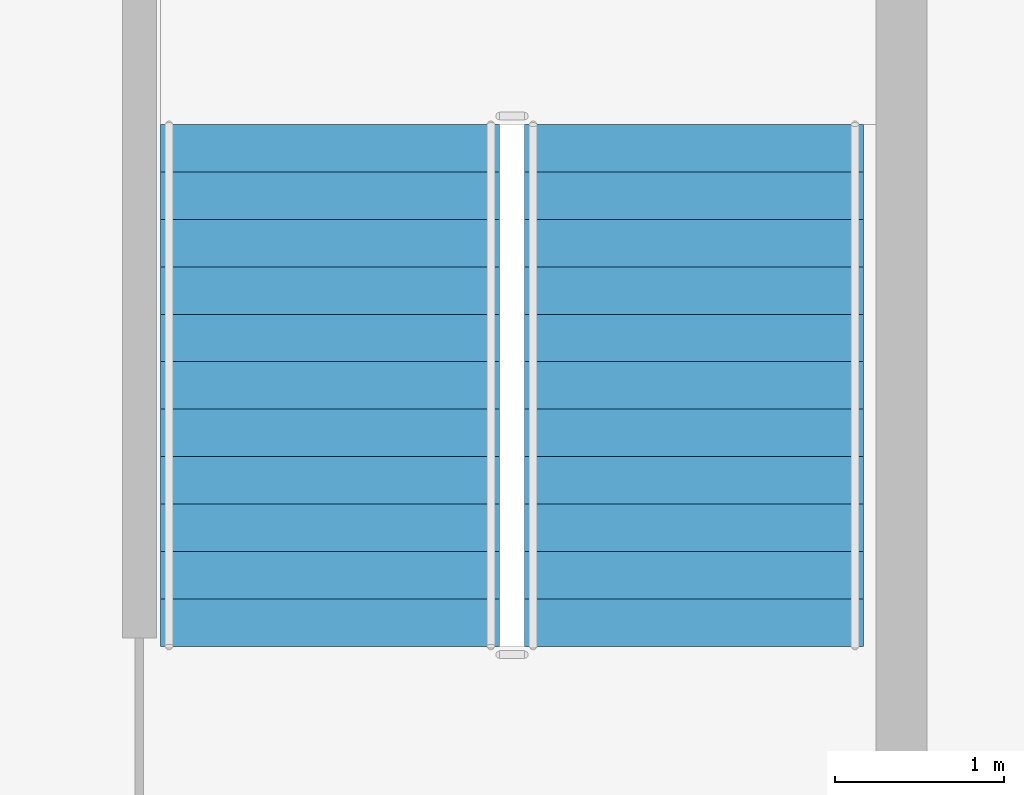
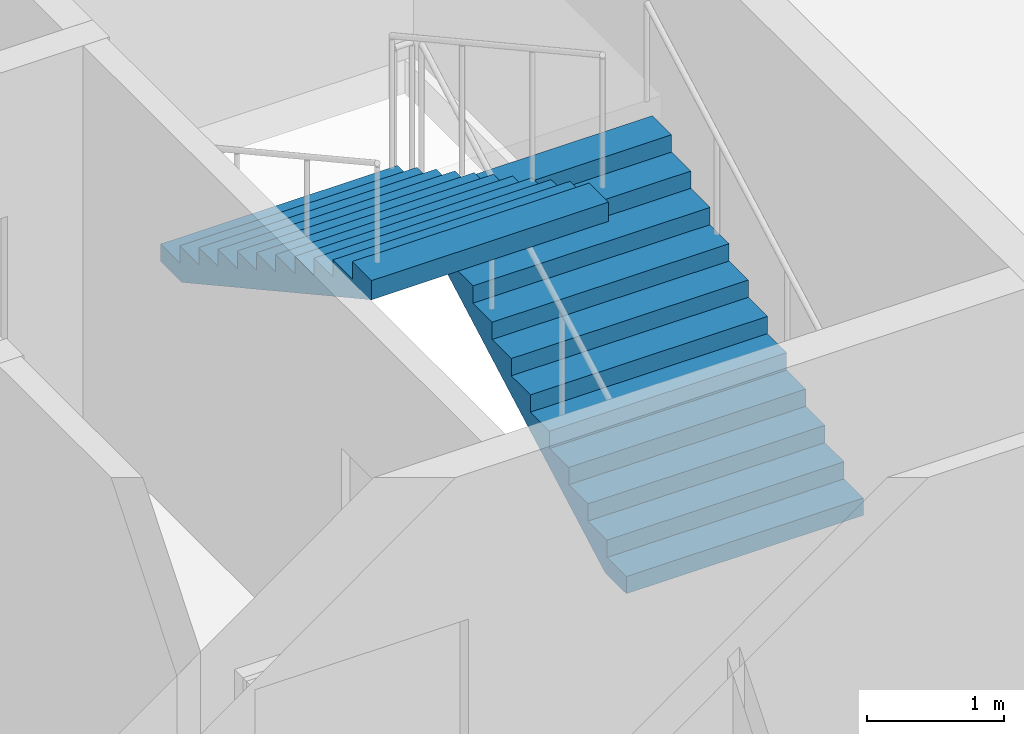
# One storey, part 8 of 11: 2 stair flights, 1 element without a shape of its own.
"""IFC4 building model written with IfcOpenShell, lengths in metres."""

import ifcopenshell
import ifcopenshell.guid

model = None  # the IFC model being written
_history = None  # IfcOwnerHistory: only IFC2X3 demands one
_inside = {}  # id of a spatial element -> (the spatial element, [elements in it])
_under = {}  # id of a project, library or spatial element -> (it, [spatial elements below it])
_declared = {}  # id of a project -> (the project, [libraries it declares])
_typed = {}  # id of a type object -> (the type object, [elements of that type])
_made_of = {}  # id of a material, layer set ... -> (it, [elements and type objects made of it])


def new_model(schema):
    """Start an empty IFC model of exactly this schema.

    Asked for "IFC4X3", IfcOpenShell would pick the latest addendum, in which some entities
    have other attributes; the version numbers below select the first issue.
    IFC2X3 requires an IfcOwnerHistory on every rooted entity: one is made here for all.
    """
    global model, _history
    if schema == "IFC4X3":
        model = ifcopenshell.file(schema_version=(4, 3, 0, 0))
    else:
        model = ifcopenshell.file(schema=schema)
    _inside.clear()
    _under.clear()
    _declared.clear()
    _typed.clear()
    _made_of.clear()
    _history = None
    if model.schema == "IFC2X3":
        org = make("IfcOrganization", Name="unknown")
        user = make(
            "IfcPersonAndOrganization",
            ThePerson=make("IfcPerson", FamilyName="unknown"),
            TheOrganization=org,
        )
        app = make(
            "IfcApplication",
            ApplicationDeveloper=org,
            Version="unknown",
            ApplicationFullName="unknown",
            ApplicationIdentifier="unknown",
        )
        _history = make(
            "IfcOwnerHistory",
            OwningUser=user,
            OwningApplication=app,
            ChangeAction="ADDED",
            CreationDate=0,
        )
    return model


def make(cls, **values):
    """One entity of the class cls with the attributes given. An attribute that is None is left unset."""
    return model.create_entity(
        cls, **{name: value for name, value in values.items() if value is not None}
    )


def rooted(cls, **values):
    """An entity with a GlobalId (a new one), such as an element, a storey or a relation."""
    return make(cls, GlobalId=ifcopenshell.guid.new(), OwnerHistory=_history, **values)


def si_unit(unit_type, name, prefix=None):
    """IfcSIUnit, for example si_unit("LENGTHUNIT", "METRE", prefix="MILLI")."""
    return make("IfcSIUnit", UnitType=unit_type, Prefix=prefix, Name=name)


def assignment(units):
    """IfcUnitAssignment: the units of a project."""
    return None if units is None else make("IfcUnitAssignment", Units=units)


def point(xyz):
    """IfcCartesianPoint."""
    return None if xyz is None else make("IfcCartesianPoint", Coordinates=xyz)


def direction(xyz):
    """IfcDirection."""
    return None if xyz is None else make("IfcDirection", DirectionRatios=xyz)


def frame(location, z_axis=None, x_axis=None):
    """IfcAxis2Placement3D, a coordinate frame: its origin and axes. An axis left out is left unset."""
    return make(
        "IfcAxis2Placement3D",
        Location=point(location),
        Axis=direction(z_axis),
        RefDirection=direction(x_axis),
    )


def origin():
    """The frame at (0, 0, 0) with its axes left unset."""
    return frame((0.0, 0.0, 0.0))


def place(relative_to, where):
    """IfcLocalPlacement: puts the frame where relative to a parent placement (None: the world)."""
    return make(
        "IfcLocalPlacement", PlacementRelTo=relative_to, RelativePlacement=where
    )


def context(
    kind, dimensions, precision=None, world=None, true_north=None, identifier=None
):
    """IfcGeometricRepresentationContext, for example the 3D "Model" context."""
    return make(
        "IfcGeometricRepresentationContext",
        ContextIdentifier=identifier,
        ContextType=kind,
        CoordinateSpaceDimension=dimensions,
        Precision=precision,
        WorldCoordinateSystem=world,
        TrueNorth=true_north,
    )


def subcontext(parent, identifier, kind, view, scale=None):
    """IfcGeometricRepresentationSubContext, for example "Body" below "Model"."""
    return make(
        "IfcGeometricRepresentationSubContext",
        ContextIdentifier=identifier,
        ContextType=kind,
        ParentContext=parent,
        TargetScale=scale,
        TargetView=view,
    )


def project(units=None, contexts=None):
    """IfcProject with its units and contexts."""
    return rooted(
        "IfcProject",
        Name="project",
        RepresentationContexts=contexts,
        UnitsInContext=assignment(units),
    )


def spatial(cls, under=None, at=None, **own):
    """A site, building, storey or space (cls), placed at a placement, below another one or the project."""
    s = rooted(cls, ObjectPlacement=at, **own)
    if under is not None:
        _under.setdefault(under.id(), (under, []))[1].append(s)
    return s


def point_list(points):
    """IfcCartesianPointList2D or 3D."""
    cls = (
        "IfcCartesianPointList2D" if len(points[0]) == 2 else "IfcCartesianPointList3D"
    )
    return make(cls, CoordList=points)


def polygons(points, faces, closed=None, point_numbers=None):
    """IfcPolygonalFaceSet: a face is its outer loop, then its inner loops; points numbered from 1."""
    made = []
    for loops in faces:
        if len(loops) == 1:
            made.append(make("IfcIndexedPolygonalFace", CoordIndex=loops[0]))
        else:
            made.append(
                make(
                    "IfcIndexedPolygonalFaceWithVoids",
                    CoordIndex=loops[0],
                    InnerCoordIndices=loops[1:],
                )
            )
    return make(
        "IfcPolygonalFaceSet",
        Coordinates=point_list(points),
        Closed=closed,
        Faces=made,
        PnIndex=point_numbers,
    )


def shape(context_of_items, identifier, shape_type, items):
    """IfcShapeRepresentation: the items that make up one representation, for example the "Body"."""
    return make(
        "IfcShapeRepresentation",
        ContextOfItems=context_of_items,
        RepresentationIdentifier=identifier,
        RepresentationType=shape_type,
        Items=items,
    )


def material(Name=None, Category=None):
    """IfcMaterial."""
    return make("IfcMaterial", Name=Name, Category=Category)


def made_of(thing, what):
    """Note that an element or type object is made of a material, layer set ...; save() writes the relation."""
    if what is not None:
        _made_of.setdefault(what.id(), (what, []))[1].append(thing)
    return thing


def type_object(cls, material=None, **own):
    """A type object (cls), such as IfcWallType, which elements share."""
    return made_of(rooted(cls, **own), material)


def element(
    cls,
    number,
    at=None,
    inside=None,
    cuts=None,
    type_object=None,
    material=None,
    context=None,
    identifier="Body",
    shape_type=None,
    held_by="IfcProductDefinitionShape",
    body=None,
    shapes=None,
    **own,
):
    """One element of the class cls, such as IfcWall. Its Tag is "e" and its number.

    at: its placement. inside: the storey or other place that contains it. cuts: it is an
    opening in that element (IfcRelVoidsElement). A single representation is given by context,
    identifier, shape_type and body (its items); several are given by shapes. held_by: the class
    of the entity that holds the representations. save() writes the other relations.
    """
    e = rooted(cls, Tag="e%d" % number, ObjectPlacement=at, **own)
    if body is not None:
        shapes = [shape(context, identifier, shape_type, body)]
    if shapes is not None:
        e.Representation = make(held_by, Representations=shapes)
    if inside is not None:
        _inside.setdefault(inside.id(), (inside, []))[1].append(e)
    if cuts is not None:
        rooted(
            "IfcRelVoidsElement", RelatingBuildingElement=cuts, RelatedOpeningElement=e
        )
    if type_object is not None:
        _typed.setdefault(type_object.id(), (type_object, []))[1].append(e)
    return made_of(e, material)


def aggregate(whole, parts):
    """IfcRelAggregates: a whole, such as a stair, and the parts it consists of."""
    return rooted("IfcRelAggregates", RelatingObject=whole, RelatedObjects=parts)


def save(model, path):
    """Write the relations noted so far, then the file.

    IfcRelAggregates (storeys below a building ...), IfcRelContainedInSpatialStructure (elements
    in a storey), IfcRelDefinesByType, IfcRelAssociatesMaterial and IfcRelDeclares: one each for
    every whole, place, type object, material and project.
    """
    for whole, parts in _under.values():
        aggregate(whole, parts)
    for where, things in _inside.values():
        rooted(
            "IfcRelContainedInSpatialStructure",
            RelatedElements=things,
            RelatingStructure=where,
        )
    for kind, things in _typed.values():
        rooted("IfcRelDefinesByType", RelatedObjects=things, RelatingType=kind)
    for what, things in _made_of.values():
        rooted("IfcRelAssociatesMaterial", RelatedObjects=things, RelatingMaterial=what)
    for by, libraries in _declared.values():
        rooted("IfcRelDeclares", RelatingContext=by, RelatedDefinitions=libraries)
    model.write(path)


model = new_model("IFC4")

# Units and contexts
model_context = context("Model", 3, precision=1e-05, world=origin(), true_north=direction((0.0, 1.0)))
body_context = subcontext(model_context, "Body", "Model", "MODEL_VIEW")
ifc_project = project(units=[si_unit("LENGTHUNIT", "METRE"), si_unit("AREAUNIT", "SQUARE_METRE"), si_unit("VOLUMEUNIT", "CUBIC_METRE"), si_unit("PLANEANGLEUNIT", "RADIAN"), si_unit("MASSUNIT", "GRAM", prefix="KILO")], contexts=[model_context])

# Site, building, storey
site_placement = place(None, origin())
site = spatial("IfcSite", under=ifc_project, at=site_placement, CompositionType="ELEMENT")
building_placement = place(site_placement, origin())
building = spatial("IfcBuilding", under=site, at=building_placement, Name="Caravel Reach Hotel and Residences", CompositionType="ELEMENT")
storey_placement = place(building_placement, frame((0.0, 0.0, 271.199951171875)))
storey = spatial("IfcBuildingStorey", under=building, at=storey_placement, Name="L69", CompositionType="ELEMENT", Elevation=271.199951171875)

# Stair, stair flights
ifc_material_1 = material(Name="Concrete C40", Category="concrete")
stair_type = type_object("IfcStairType", Name="Core stair", PredefinedType="HALF_TURN_STAIR", material=ifc_material_1)
stair_placement = place(storey_placement, origin())
stair = element("IfcStair", 1, at=stair_placement, inside=storey, type_object=stair_type, Name="L69 Exit stair B", PredefinedType="HALF_TURN_STAIR")
ifc_material_2 = material(Name="Concrete C40", Category="concrete")
stair_flight_type = type_object("IfcStairFlightType", Name="Core stair flight", PredefinedType="STRAIGHT", material=ifc_material_2)
stair_flight_1_placement = place(storey_placement, frame((43.77490234375, 24.64990234375, 0.0), z_axis=(0.0, 0.0, 1.0), x_axis=(0.0, 1.0, 0.0)))
stair_flight_1 = element("IfcStairFlight", 2, at=stair_flight_1_placement, type_object=stair_flight_type, Name="ST-B flight 1", NumberOfRisers=12, NumberOfTreads=11, PredefinedType="STRAIGHT", RiserHeight=0.154166667, TreadLength=0.28, context=body_context, shape_type="Tessellation", body=[
    polygons([(0.3107950034306102, 1.0, 0.0), (0.3107950034306102, 0.6666666666666667, 0.0), (0.3107950034306102, 0.33333333333333337, 0.0), (0.3107950034306102, 0.0, 0.0), (0.3107950034306102, -0.33333333333333326, 0.0), (0.3107950034306102, -0.6666666666666667, 0.0), (0.3107950034306102, -1.0, 0.0), (3.081, 1.0, 1.524711087717319), (3.081, 0.6666666666666667, 1.524711087717319), (3.081, 0.33333333333333337, 1.524711087717319), (3.081, 0.0, 1.524711087717319), (3.081, -0.33333333333333326, 1.524711087717319), (3.081, -0.6666666666666667, 1.524711087717319), (3.081, -1.0, 1.524711087717319), (3.081, 1.0, 1.695833337), (3.081, 0.6666666666666667, 1.695833337), (3.081, 0.33333333333333337, 1.695833337), (3.081, 0.0, 1.695833337), (3.081, -0.33333333333333326, 1.695833337), (3.081, -0.6666666666666667, 1.695833337), (3.081, -1.0, 1.695833337), (2.8000000000000003, 1.0, 1.695833337), (2.8000000000000003, 0.6666666666666667, 1.695833337), (2.8000000000000003, 0.33333333333333337, 1.695833337), (2.8000000000000003, 0.0, 1.695833337), (2.8000000000000003, -0.33333333333333326, 1.695833337), (2.8000000000000003, -0.6666666666666667, 1.695833337), (2.8000000000000003, -1.0, 1.695833337), (2.8000000000000003, 1.0, 1.5416666700000001), (2.8000000000000003, 0.6666666666666667, 1.5416666700000001), (2.8000000000000003, 0.33333333333333337, 1.5416666700000001), (2.8000000000000003, 0.0, 1.5416666700000001), (2.8000000000000003, -0.33333333333333326, 1.5416666700000001), (2.8000000000000003, -0.6666666666666667, 1.5416666700000001), (2.8000000000000003, -1.0, 1.5416666700000001), (2.5200000000000005, 1.0, 1.5416666700000001), (2.5200000000000005, 0.6666666666666667, 1.5416666700000001), (2.5200000000000005, 0.33333333333333337, 1.5416666700000001), (2.5200000000000005, 0.0, 1.5416666700000001), (2.5200000000000005, -0.33333333333333326, 1.5416666700000001), (2.5200000000000005, -0.6666666666666667, 1.5416666700000001), (2.5200000000000005, -1.0, 1.5416666700000001), (2.5200000000000005, 1.0, 1.387500003), (2.5200000000000005, 0.6666666666666667, 1.387500003), (2.5200000000000005, 0.33333333333333337, 1.387500003), (2.5200000000000005, 0.0, 1.387500003), (2.5200000000000005, -0.33333333333333326, 1.387500003), (2.5200000000000005, -0.6666666666666667, 1.387500003), (2.5200000000000005, -1.0, 1.387500003), (2.24, 1.0, 1.387500003), (2.24, 0.6666666666666667, 1.387500003), (2.24, 0.33333333333333337, 1.387500003), (2.24, 0.0, 1.387500003), (2.24, -0.33333333333333326, 1.387500003), (2.24, -0.6666666666666667, 1.387500003), (2.24, -1.0, 1.387500003), (2.24, 1.0, 1.233333336), (2.24, 0.6666666666666667, 1.233333336), (2.24, 0.33333333333333337, 1.233333336), (2.24, 0.0, 1.233333336), (2.24, -0.33333333333333326, 1.233333336), (2.24, -0.6666666666666667, 1.233333336), (2.24, -1.0, 1.233333336), (1.9600000000000002, 1.0, 1.233333336), (1.9600000000000002, 0.6666666666666667, 1.233333336), (1.9600000000000002, 0.33333333333333337, 1.233333336), (1.9600000000000002, 0.0, 1.233333336), (1.9600000000000002, -0.33333333333333326, 1.233333336), (1.9600000000000002, -0.6666666666666667, 1.233333336), (1.9600000000000002, -1.0, 1.233333336), (1.9600000000000002, 1.0, 1.0791666690000001), (1.9600000000000002, 0.6666666666666667, 1.0791666690000001), (1.9600000000000002, 0.33333333333333337, 1.0791666690000001), (1.9600000000000002, 0.0, 1.0791666690000001), (1.9600000000000002, -0.33333333333333326, 1.0791666690000001), (1.9600000000000002, -0.6666666666666667, 1.0791666690000001), (1.9600000000000002, -1.0, 1.0791666690000001), (1.6800000000000002, 1.0, 1.0791666690000001), (1.6800000000000002, 0.6666666666666667, 1.0791666690000001), (1.6800000000000002, 0.33333333333333337, 1.0791666690000001), (1.6800000000000002, 0.0, 1.0791666690000001), (1.6800000000000002, -0.33333333333333326, 1.0791666690000001), (1.6800000000000002, -0.6666666666666667, 1.0791666690000001), (1.6800000000000002, -1.0, 1.0791666690000001), (1.6800000000000002, 1.0, 0.925000002), (1.6800000000000002, 0.6666666666666667, 0.925000002), (1.6800000000000002, 0.33333333333333337, 0.925000002), (1.6800000000000002, 0.0, 0.925000002), (1.6800000000000002, -0.33333333333333326, 0.925000002), (1.6800000000000002, -0.6666666666666667, 0.925000002), (1.6800000000000002, -1.0, 0.925000002), (1.4000000000000001, 1.0, 0.925000002), (1.4000000000000001, 0.6666666666666667, 0.925000002), (1.4000000000000001, 0.33333333333333337, 0.925000002), (1.4000000000000001, 0.0, 0.925000002), (1.4000000000000001, -0.33333333333333326, 0.925000002), (1.4000000000000001, -0.6666666666666667, 0.925000002), (1.4000000000000001, -1.0, 0.925000002), (1.4000000000000001, 1.0, 0.7708333350000001), (1.4000000000000001, 0.6666666666666667, 0.7708333350000001), (1.4000000000000001, 0.33333333333333337, 0.7708333350000001), (1.4000000000000001, 0.0, 0.7708333350000001), (1.4000000000000001, -0.33333333333333326, 0.7708333350000001), (1.4000000000000001, -0.6666666666666667, 0.7708333350000001), (1.4000000000000001, -1.0, 0.7708333350000001), (1.12, 1.0, 0.7708333350000001), (1.12, 0.6666666666666667, 0.7708333350000001), (1.12, 0.33333333333333337, 0.7708333350000001), (1.12, 0.0, 0.7708333350000001), (1.12, -0.33333333333333326, 0.7708333350000001), (1.12, -0.6666666666666667, 0.7708333350000001), (1.12, -1.0, 0.7708333350000001), (1.12, 1.0, 0.616666668), (1.12, 0.6666666666666667, 0.616666668), (1.12, 0.33333333333333337, 0.616666668), (1.12, 0.0, 0.616666668), (1.12, -0.33333333333333326, 0.616666668), (1.12, -0.6666666666666667, 0.616666668), (1.12, -1.0, 0.616666668), (0.8400000000000001, 1.0, 0.616666668), (0.8400000000000001, 0.6666666666666667, 0.616666668), (0.8400000000000001, 0.33333333333333337, 0.616666668), (0.8400000000000001, 0.0, 0.616666668), (0.8400000000000001, -0.33333333333333326, 0.616666668), (0.8400000000000001, -0.6666666666666667, 0.616666668), (0.8400000000000001, -1.0, 0.616666668), (0.8400000000000001, 1.0, 0.462500001), (0.8400000000000001, 0.6666666666666667, 0.462500001), (0.8400000000000001, 0.33333333333333337, 0.462500001), (0.8400000000000001, 0.0, 0.462500001), (0.8400000000000001, -0.33333333333333326, 0.462500001), (0.8400000000000001, -0.6666666666666667, 0.462500001), (0.8400000000000001, -1.0, 0.462500001), (0.56, 1.0, 0.462500001), (0.56, 0.6666666666666667, 0.462500001), (0.56, 0.33333333333333337, 0.462500001), (0.56, 0.0, 0.462500001), (0.56, -0.33333333333333326, 0.462500001), (0.56, -0.6666666666666667, 0.462500001), (0.56, -1.0, 0.462500001), (0.56, 1.0, 0.308333334), (0.56, 0.6666666666666667, 0.308333334), (0.56, 0.33333333333333337, 0.308333334), (0.56, 0.0, 0.308333334), (0.56, -0.33333333333333326, 0.308333334), (0.56, -0.6666666666666667, 0.308333334), (0.56, -1.0, 0.308333334), (0.28, 1.0, 0.308333334), (0.28, 0.6666666666666667, 0.308333334), (0.28, 0.33333333333333337, 0.308333334), (0.28, 0.0, 0.308333334), (0.28, -0.33333333333333326, 0.308333334), (0.28, -0.6666666666666667, 0.308333334), (0.28, -1.0, 0.308333334), (0.28, 1.0, 0.154166667), (0.28, 0.6666666666666667, 0.154166667), (0.28, 0.33333333333333337, 0.154166667), (0.28, 0.0, 0.154166667), (0.28, -0.33333333333333326, 0.154166667), (0.28, -0.6666666666666667, 0.154166667), (0.28, -1.0, 0.154166667), (-0.001, 1.0, 0.154166667), (-0.001, 0.6666666666666667, 0.154166667), (-0.001, 0.33333333333333337, 0.154166667), (-0.001, 0.0, 0.154166667), (-0.001, -0.33333333333333326, 0.154166667), (-0.001, -0.6666666666666667, 0.154166667), (-0.001, -1.0, 0.154166667), (-0.001, 1.0, 0.0), (-0.001, 0.6666666666666667, 0.0), (-0.001, 0.33333333333333337, 0.0), (-0.001, 0.0, 0.0), (-0.001, -0.33333333333333326, 0.0), (-0.001, -0.6666666666666667, 0.0), (-0.001, -1.0, 0.0)], [[[169, 162, 155, 148, 141, 134, 127, 120, 113, 106, 99, 92, 85, 78, 71, 64, 57, 50, 43, 36, 29, 22, 15, 8, 1]], [[7, 14, 21, 28, 35, 42, 49, 56, 63, 70, 77, 84, 91, 98, 105, 112, 119, 126, 133, 140, 147, 154, 161, 168, 175]], [[1, 8, 9, 2]], [[2, 9, 10, 3]], [[3, 10, 11, 4]], [[4, 11, 12, 5]], [[5, 12, 13, 6]], [[6, 13, 14, 7]], [[8, 15, 16, 9]], [[9, 16, 17, 10]], [[10, 17, 18, 11]], [[11, 18, 19, 12]], [[12, 19, 20, 13]], [[13, 20, 21, 14]], [[15, 22, 23, 16]], [[16, 23, 24, 17]], [[17, 24, 25, 18]], [[18, 25, 26, 19]], [[19, 26, 27, 20]], [[20, 27, 28, 21]], [[22, 29, 30, 23]], [[23, 30, 31, 24]], [[24, 31, 32, 25]], [[25, 32, 33, 26]], [[26, 33, 34, 27]], [[27, 34, 35, 28]], [[29, 36, 37, 30]], [[30, 37, 38, 31]], [[31, 38, 39, 32]], [[32, 39, 40, 33]], [[33, 40, 41, 34]], [[34, 41, 42, 35]], [[36, 43, 44, 37]], [[37, 44, 45, 38]], [[38, 45, 46, 39]], [[39, 46, 47, 40]], [[40, 47, 48, 41]], [[41, 48, 49, 42]], [[43, 50, 51, 44]], [[44, 51, 52, 45]], [[45, 52, 53, 46]], [[46, 53, 54, 47]], [[47, 54, 55, 48]], [[48, 55, 56, 49]], [[50, 57, 58, 51]], [[51, 58, 59, 52]], [[52, 59, 60, 53]], [[53, 60, 61, 54]], [[54, 61, 62, 55]], [[55, 62, 63, 56]], [[57, 64, 65, 58]], [[58, 65, 66, 59]], [[59, 66, 67, 60]], [[60, 67, 68, 61]], [[61, 68, 69, 62]], [[62, 69, 70, 63]], [[64, 71, 72, 65]], [[65, 72, 73, 66]], [[66, 73, 74, 67]], [[67, 74, 75, 68]], [[68, 75, 76, 69]], [[69, 76, 77, 70]], [[71, 78, 79, 72]], [[72, 79, 80, 73]], [[73, 80, 81, 74]], [[74, 81, 82, 75]], [[75, 82, 83, 76]], [[76, 83, 84, 77]], [[78, 85, 86, 79]], [[79, 86, 87, 80]], [[80, 87, 88, 81]], [[81, 88, 89, 82]], [[82, 89, 90, 83]], [[83, 90, 91, 84]], [[85, 92, 93, 86]], [[86, 93, 94, 87]], [[87, 94, 95, 88]], [[88, 95, 96, 89]], [[89, 96, 97, 90]], [[90, 97, 98, 91]], [[92, 99, 100, 93]], [[93, 100, 101, 94]], [[94, 101, 102, 95]], [[95, 102, 103, 96]], [[96, 103, 104, 97]], [[97, 104, 105, 98]], [[99, 106, 107, 100]], [[100, 107, 108, 101]], [[101, 108, 109, 102]], [[102, 109, 110, 103]], [[103, 110, 111, 104]], [[104, 111, 112, 105]], [[106, 113, 114, 107]], [[107, 114, 115, 108]], [[108, 115, 116, 109]], [[109, 116, 117, 110]], [[110, 117, 118, 111]], [[111, 118, 119, 112]], [[113, 120, 121, 114]], [[114, 121, 122, 115]], [[115, 122, 123, 116]], [[116, 123, 124, 117]], [[117, 124, 125, 118]], [[118, 125, 126, 119]], [[120, 127, 128, 121]], [[121, 128, 129, 122]], [[122, 129, 130, 123]], [[123, 130, 131, 124]], [[124, 131, 132, 125]], [[125, 132, 133, 126]], [[127, 134, 135, 128]], [[128, 135, 136, 129]], [[129, 136, 137, 130]], [[130, 137, 138, 131]], [[131, 138, 139, 132]], [[132, 139, 140, 133]], [[134, 141, 142, 135]], [[135, 142, 143, 136]], [[136, 143, 144, 137]], [[137, 144, 145, 138]], [[138, 145, 146, 139]], [[139, 146, 147, 140]], [[141, 148, 149, 142]], [[142, 149, 150, 143]], [[143, 150, 151, 144]], [[144, 151, 152, 145]], [[145, 152, 153, 146]], [[146, 153, 154, 147]], [[148, 155, 156, 149]], [[149, 156, 157, 150]], [[150, 157, 158, 151]], [[151, 158, 159, 152]], [[152, 159, 160, 153]], [[153, 160, 161, 154]], [[155, 162, 163, 156]], [[156, 163, 164, 157]], [[157, 164, 165, 158]], [[158, 165, 166, 159]], [[159, 166, 167, 160]], [[160, 167, 168, 161]], [[162, 169, 170, 163]], [[163, 170, 171, 164]], [[164, 171, 172, 165]], [[165, 172, 173, 166]], [[166, 173, 174, 167]], [[167, 174, 175, 168]], [[169, 1, 2, 170]], [[170, 2, 3, 171]], [[171, 3, 4, 172]], [[172, 4, 5, 173]], [[173, 5, 6, 174]], [[174, 6, 7, 175]]], closed=True),
])
stair_flight_2_placement = place(storey_placement, frame((41.625, 27.72998046875, 1.85009765625), z_axis=(0.0, 0.0, 1.0), x_axis=(0.0, -1.0, 0.0)))
stair_flight_2 = element("IfcStairFlight", 3, at=stair_flight_2_placement, type_object=stair_flight_type, Name="ST-B flight 2", NumberOfRisers=12, NumberOfTreads=11, PredefinedType="STRAIGHT", RiserHeight=0.154166667, TreadLength=0.28, context=body_context, shape_type="Tessellation", body=[
    polygons([(0.3107950034306102, 1.0, 0.0), (0.3107950034306102, 0.6666666666666667, 0.0), (0.3107950034306102, 0.33333333333333337, 0.0), (0.3107950034306102, 0.0, 0.0), (0.3107950034306102, -0.33333333333333326, 0.0), (0.3107950034306102, -0.6666666666666667, 0.0), (0.3107950034306102, -1.0, 0.0), (3.081, 1.0, 1.524711087717319), (3.081, 0.6666666666666667, 1.524711087717319), (3.081, 0.33333333333333337, 1.524711087717319), (3.081, 0.0, 1.524711087717319), (3.081, -0.33333333333333326, 1.524711087717319), (3.081, -0.6666666666666667, 1.524711087717319), (3.081, -1.0, 1.524711087717319), (3.081, 1.0, 1.695833337), (3.081, 0.6666666666666667, 1.695833337), (3.081, 0.33333333333333337, 1.695833337), (3.081, 0.0, 1.695833337), (3.081, -0.33333333333333326, 1.695833337), (3.081, -0.6666666666666667, 1.695833337), (3.081, -1.0, 1.695833337), (2.8000000000000003, 1.0, 1.695833337), (2.8000000000000003, 0.6666666666666667, 1.695833337), (2.8000000000000003, 0.33333333333333337, 1.695833337), (2.8000000000000003, 0.0, 1.695833337), (2.8000000000000003, -0.33333333333333326, 1.695833337), (2.8000000000000003, -0.6666666666666667, 1.695833337), (2.8000000000000003, -1.0, 1.695833337), (2.8000000000000003, 1.0, 1.5416666700000001), (2.8000000000000003, 0.6666666666666667, 1.5416666700000001), (2.8000000000000003, 0.33333333333333337, 1.5416666700000001), (2.8000000000000003, 0.0, 1.5416666700000001), (2.8000000000000003, -0.33333333333333326, 1.5416666700000001), (2.8000000000000003, -0.6666666666666667, 1.5416666700000001), (2.8000000000000003, -1.0, 1.5416666700000001), (2.5200000000000005, 1.0, 1.5416666700000001), (2.5200000000000005, 0.6666666666666667, 1.5416666700000001), (2.5200000000000005, 0.33333333333333337, 1.5416666700000001), (2.5200000000000005, 0.0, 1.5416666700000001), (2.5200000000000005, -0.33333333333333326, 1.5416666700000001), (2.5200000000000005, -0.6666666666666667, 1.5416666700000001), (2.5200000000000005, -1.0, 1.5416666700000001), (2.5200000000000005, 1.0, 1.387500003), (2.5200000000000005, 0.6666666666666667, 1.387500003), (2.5200000000000005, 0.33333333333333337, 1.387500003), (2.5200000000000005, 0.0, 1.387500003), (2.5200000000000005, -0.33333333333333326, 1.387500003), (2.5200000000000005, -0.6666666666666667, 1.387500003), (2.5200000000000005, -1.0, 1.387500003), (2.24, 1.0, 1.387500003), (2.24, 0.6666666666666667, 1.387500003), (2.24, 0.33333333333333337, 1.387500003), (2.24, 0.0, 1.387500003), (2.24, -0.33333333333333326, 1.387500003), (2.24, -0.6666666666666667, 1.387500003), (2.24, -1.0, 1.387500003), (2.24, 1.0, 1.233333336), (2.24, 0.6666666666666667, 1.233333336), (2.24, 0.33333333333333337, 1.233333336), (2.24, 0.0, 1.233333336), (2.24, -0.33333333333333326, 1.233333336), (2.24, -0.6666666666666667, 1.233333336), (2.24, -1.0, 1.233333336), (1.9600000000000002, 1.0, 1.233333336), (1.9600000000000002, 0.6666666666666667, 1.233333336), (1.9600000000000002, 0.33333333333333337, 1.233333336), (1.9600000000000002, 0.0, 1.233333336), (1.9600000000000002, -0.33333333333333326, 1.233333336), (1.9600000000000002, -0.6666666666666667, 1.233333336), (1.9600000000000002, -1.0, 1.233333336), (1.9600000000000002, 1.0, 1.0791666690000001), (1.9600000000000002, 0.6666666666666667, 1.0791666690000001), (1.9600000000000002, 0.33333333333333337, 1.0791666690000001), (1.9600000000000002, 0.0, 1.0791666690000001), (1.9600000000000002, -0.33333333333333326, 1.0791666690000001), (1.9600000000000002, -0.6666666666666667, 1.0791666690000001), (1.9600000000000002, -1.0, 1.0791666690000001), (1.6800000000000002, 1.0, 1.0791666690000001), (1.6800000000000002, 0.6666666666666667, 1.0791666690000001), (1.6800000000000002, 0.33333333333333337, 1.0791666690000001), (1.6800000000000002, 0.0, 1.0791666690000001), (1.6800000000000002, -0.33333333333333326, 1.0791666690000001), (1.6800000000000002, -0.6666666666666667, 1.0791666690000001), (1.6800000000000002, -1.0, 1.0791666690000001), (1.6800000000000002, 1.0, 0.925000002), (1.6800000000000002, 0.6666666666666667, 0.925000002), (1.6800000000000002, 0.33333333333333337, 0.925000002), (1.6800000000000002, 0.0, 0.925000002), (1.6800000000000002, -0.33333333333333326, 0.925000002), (1.6800000000000002, -0.6666666666666667, 0.925000002), (1.6800000000000002, -1.0, 0.925000002), (1.4000000000000001, 1.0, 0.925000002), (1.4000000000000001, 0.6666666666666667, 0.925000002), (1.4000000000000001, 0.33333333333333337, 0.925000002), (1.4000000000000001, 0.0, 0.925000002), (1.4000000000000001, -0.33333333333333326, 0.925000002), (1.4000000000000001, -0.6666666666666667, 0.925000002), (1.4000000000000001, -1.0, 0.925000002), (1.4000000000000001, 1.0, 0.7708333350000001), (1.4000000000000001, 0.6666666666666667, 0.7708333350000001), (1.4000000000000001, 0.33333333333333337, 0.7708333350000001), (1.4000000000000001, 0.0, 0.7708333350000001), (1.4000000000000001, -0.33333333333333326, 0.7708333350000001), (1.4000000000000001, -0.6666666666666667, 0.7708333350000001), (1.4000000000000001, -1.0, 0.7708333350000001), (1.12, 1.0, 0.7708333350000001), (1.12, 0.6666666666666667, 0.7708333350000001), (1.12, 0.33333333333333337, 0.7708333350000001), (1.12, 0.0, 0.7708333350000001), (1.12, -0.33333333333333326, 0.7708333350000001), (1.12, -0.6666666666666667, 0.7708333350000001), (1.12, -1.0, 0.7708333350000001), (1.12, 1.0, 0.616666668), (1.12, 0.6666666666666667, 0.616666668), (1.12, 0.33333333333333337, 0.616666668), (1.12, 0.0, 0.616666668), (1.12, -0.33333333333333326, 0.616666668), (1.12, -0.6666666666666667, 0.616666668), (1.12, -1.0, 0.616666668), (0.8400000000000001, 1.0, 0.616666668), (0.8400000000000001, 0.6666666666666667, 0.616666668), (0.8400000000000001, 0.33333333333333337, 0.616666668), (0.8400000000000001, 0.0, 0.616666668), (0.8400000000000001, -0.33333333333333326, 0.616666668), (0.8400000000000001, -0.6666666666666667, 0.616666668), (0.8400000000000001, -1.0, 0.616666668), (0.8400000000000001, 1.0, 0.462500001), (0.8400000000000001, 0.6666666666666667, 0.462500001), (0.8400000000000001, 0.33333333333333337, 0.462500001), (0.8400000000000001, 0.0, 0.462500001), (0.8400000000000001, -0.33333333333333326, 0.462500001), (0.8400000000000001, -0.6666666666666667, 0.462500001), (0.8400000000000001, -1.0, 0.462500001), (0.56, 1.0, 0.462500001), (0.56, 0.6666666666666667, 0.462500001), (0.56, 0.33333333333333337, 0.462500001), (0.56, 0.0, 0.462500001), (0.56, -0.33333333333333326, 0.462500001), (0.56, -0.6666666666666667, 0.462500001), (0.56, -1.0, 0.462500001), (0.56, 1.0, 0.308333334), (0.56, 0.6666666666666667, 0.308333334), (0.56, 0.33333333333333337, 0.308333334), (0.56, 0.0, 0.308333334), (0.56, -0.33333333333333326, 0.308333334), (0.56, -0.6666666666666667, 0.308333334), (0.56, -1.0, 0.308333334), (0.28, 1.0, 0.308333334), (0.28, 0.6666666666666667, 0.308333334), (0.28, 0.33333333333333337, 0.308333334), (0.28, 0.0, 0.308333334), (0.28, -0.33333333333333326, 0.308333334), (0.28, -0.6666666666666667, 0.308333334), (0.28, -1.0, 0.308333334), (0.28, 1.0, 0.154166667), (0.28, 0.6666666666666667, 0.154166667), (0.28, 0.33333333333333337, 0.154166667), (0.28, 0.0, 0.154166667), (0.28, -0.33333333333333326, 0.154166667), (0.28, -0.6666666666666667, 0.154166667), (0.28, -1.0, 0.154166667), (-0.001, 1.0, 0.154166667), (-0.001, 0.6666666666666667, 0.154166667), (-0.001, 0.33333333333333337, 0.154166667), (-0.001, 0.0, 0.154166667), (-0.001, -0.33333333333333326, 0.154166667), (-0.001, -0.6666666666666667, 0.154166667), (-0.001, -1.0, 0.154166667), (-0.001, 1.0, 0.0), (-0.001, 0.6666666666666667, 0.0), (-0.001, 0.33333333333333337, 0.0), (-0.001, 0.0, 0.0), (-0.001, -0.33333333333333326, 0.0), (-0.001, -0.6666666666666667, 0.0), (-0.001, -1.0, 0.0)], [[[169, 162, 155, 148, 141, 134, 127, 120, 113, 106, 99, 92, 85, 78, 71, 64, 57, 50, 43, 36, 29, 22, 15, 8, 1]], [[7, 14, 21, 28, 35, 42, 49, 56, 63, 70, 77, 84, 91, 98, 105, 112, 119, 126, 133, 140, 147, 154, 161, 168, 175]], [[1, 8, 9, 2]], [[2, 9, 10, 3]], [[3, 10, 11, 4]], [[4, 11, 12, 5]], [[5, 12, 13, 6]], [[6, 13, 14, 7]], [[8, 15, 16, 9]], [[9, 16, 17, 10]], [[10, 17, 18, 11]], [[11, 18, 19, 12]], [[12, 19, 20, 13]], [[13, 20, 21, 14]], [[15, 22, 23, 16]], [[16, 23, 24, 17]], [[17, 24, 25, 18]], [[18, 25, 26, 19]], [[19, 26, 27, 20]], [[20, 27, 28, 21]], [[22, 29, 30, 23]], [[23, 30, 31, 24]], [[24, 31, 32, 25]], [[25, 32, 33, 26]], [[26, 33, 34, 27]], [[27, 34, 35, 28]], [[29, 36, 37, 30]], [[30, 37, 38, 31]], [[31, 38, 39, 32]], [[32, 39, 40, 33]], [[33, 40, 41, 34]], [[34, 41, 42, 35]], [[36, 43, 44, 37]], [[37, 44, 45, 38]], [[38, 45, 46, 39]], [[39, 46, 47, 40]], [[40, 47, 48, 41]], [[41, 48, 49, 42]], [[43, 50, 51, 44]], [[44, 51, 52, 45]], [[45, 52, 53, 46]], [[46, 53, 54, 47]], [[47, 54, 55, 48]], [[48, 55, 56, 49]], [[50, 57, 58, 51]], [[51, 58, 59, 52]], [[52, 59, 60, 53]], [[53, 60, 61, 54]], [[54, 61, 62, 55]], [[55, 62, 63, 56]], [[57, 64, 65, 58]], [[58, 65, 66, 59]], [[59, 66, 67, 60]], [[60, 67, 68, 61]], [[61, 68, 69, 62]], [[62, 69, 70, 63]], [[64, 71, 72, 65]], [[65, 72, 73, 66]], [[66, 73, 74, 67]], [[67, 74, 75, 68]], [[68, 75, 76, 69]], [[69, 76, 77, 70]], [[71, 78, 79, 72]], [[72, 79, 80, 73]], [[73, 80, 81, 74]], [[74, 81, 82, 75]], [[75, 82, 83, 76]], [[76, 83, 84, 77]], [[78, 85, 86, 79]], [[79, 86, 87, 80]], [[80, 87, 88, 81]], [[81, 88, 89, 82]], [[82, 89, 90, 83]], [[83, 90, 91, 84]], [[85, 92, 93, 86]], [[86, 93, 94, 87]], [[87, 94, 95, 88]], [[88, 95, 96, 89]], [[89, 96, 97, 90]], [[90, 97, 98, 91]], [[92, 99, 100, 93]], [[93, 100, 101, 94]], [[94, 101, 102, 95]], [[95, 102, 103, 96]], [[96, 103, 104, 97]], [[97, 104, 105, 98]], [[99, 106, 107, 100]], [[100, 107, 108, 101]], [[101, 108, 109, 102]], [[102, 109, 110, 103]], [[103, 110, 111, 104]], [[104, 111, 112, 105]], [[106, 113, 114, 107]], [[107, 114, 115, 108]], [[108, 115, 116, 109]], [[109, 116, 117, 110]], [[110, 117, 118, 111]], [[111, 118, 119, 112]], [[113, 120, 121, 114]], [[114, 121, 122, 115]], [[115, 122, 123, 116]], [[116, 123, 124, 117]], [[117, 124, 125, 118]], [[118, 125, 126, 119]], [[120, 127, 128, 121]], [[121, 128, 129, 122]], [[122, 129, 130, 123]], [[123, 130, 131, 124]], [[124, 131, 132, 125]], [[125, 132, 133, 126]], [[127, 134, 135, 128]], [[128, 135, 136, 129]], [[129, 136, 137, 130]], [[130, 137, 138, 131]], [[131, 138, 139, 132]], [[132, 139, 140, 133]], [[134, 141, 142, 135]], [[135, 142, 143, 136]], [[136, 143, 144, 137]], [[137, 144, 145, 138]], [[138, 145, 146, 139]], [[139, 146, 147, 140]], [[141, 148, 149, 142]], [[142, 149, 150, 143]], [[143, 150, 151, 144]], [[144, 151, 152, 145]], [[145, 152, 153, 146]], [[146, 153, 154, 147]], [[148, 155, 156, 149]], [[149, 156, 157, 150]], [[150, 157, 158, 151]], [[151, 158, 159, 152]], [[152, 159, 160, 153]], [[153, 160, 161, 154]], [[155, 162, 163, 156]], [[156, 163, 164, 157]], [[157, 164, 165, 158]], [[158, 165, 166, 159]], [[159, 166, 167, 160]], [[160, 167, 168, 161]], [[162, 169, 170, 163]], [[163, 170, 171, 164]], [[164, 171, 172, 165]], [[165, 172, 173, 166]], [[166, 173, 174, 167]], [[167, 174, 175, 168]], [[169, 1, 2, 170]], [[170, 2, 3, 171]], [[171, 3, 4, 172]], [[172, 4, 5, 173]], [[173, 5, 6, 174]], [[174, 6, 7, 175]]], closed=True),
])
aggregate(stair, [stair_flight_1, stair_flight_2])

save(model, "model.ifc")
